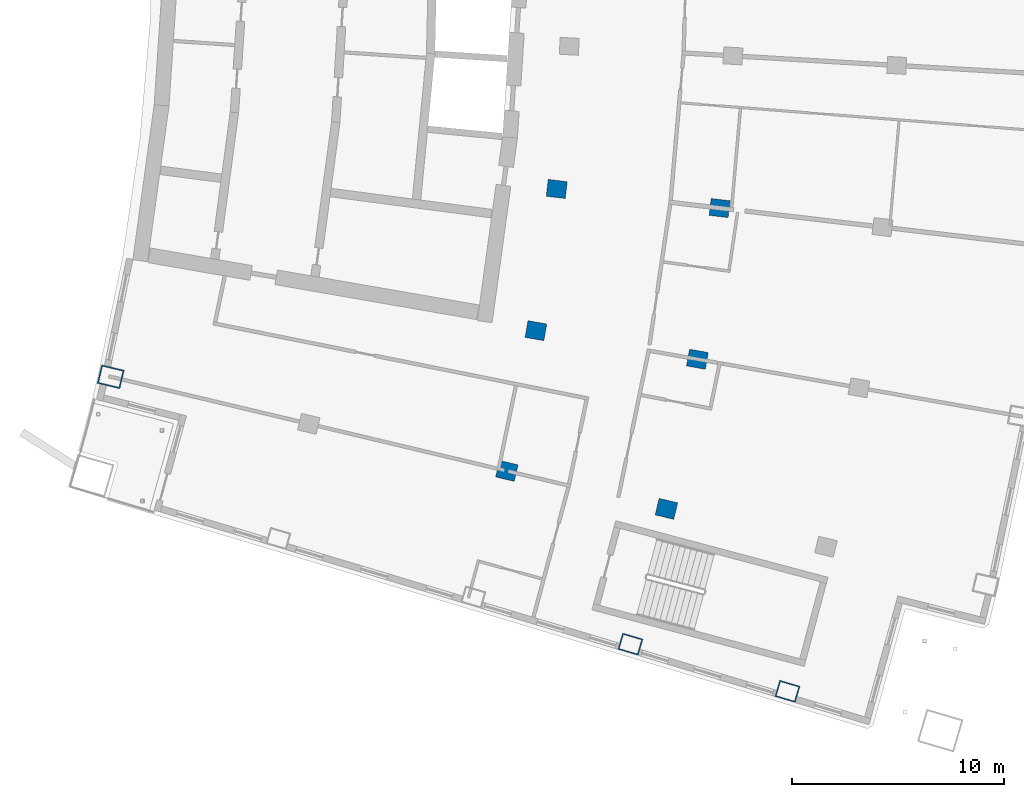
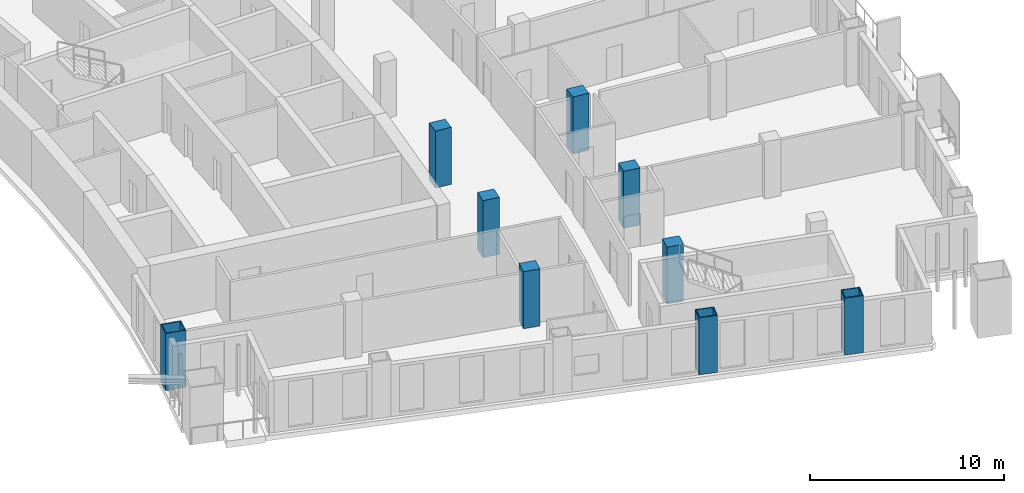
# One storey, part 2 of 19: 9 columns.
"""IFC4 building model written with IfcOpenShell, lengths in metres."""

from ifc_helpers import new_model, si_unit, direction, frame, origin, origin_2d, place, context, subcontext, project, spatial, rectangle, hollow_rectangle, extrude, material, material_profile, profile_set, type_object, element, save


model = new_model("IFC4")

# Units and contexts
model_context = context("Model", 3, precision=1e-05, world=origin(), true_north=direction((0.0, 1.0)))
body_context = subcontext(model_context, "Body", "Model", "MODEL_VIEW")
ifc_project = project(units=[si_unit("LENGTHUNIT", "METRE"), si_unit("AREAUNIT", "SQUARE_METRE"), si_unit("VOLUMEUNIT", "CUBIC_METRE"), si_unit("PLANEANGLEUNIT", "RADIAN"), si_unit("MASSUNIT", "GRAM", prefix="KILO")], contexts=[model_context])

# Site, building, storey
site_placement = place(None, origin())
site = spatial("IfcSite", under=ifc_project, at=site_placement, CompositionType="ELEMENT")
building_placement = place(site_placement, origin())
building = spatial("IfcBuilding", under=site, at=building_placement, Name="Alderwake Tower", CompositionType="ELEMENT")
storey_placement = place(building_placement, frame((0.0, 0.0, 174.800048828125)))
storey = spatial("IfcBuildingStorey", under=building, at=storey_placement, Name="L43", CompositionType="ELEMENT", Elevation=174.800048828125)

# Columns
ifc_material_1 = material(Name="Steel ASTM A572 Grade 50 concrete filled C70/85", Category="concrete")
ifc_material_profile_1 = material_profile(ifc_material_1, hollow_rectangle(XDim=0.800048828125, YDim=1.0, WallThickness=0.054931640625, at=origin_2d()), Name="BOX 1000X800X55")
ifc_profile_set_1 = profile_set([ifc_material_profile_1], Name="Steel ASTM A572 Grade 50 concrete filled C70/85")
column_type_1 = type_object("IfcColumnType", Name="End column Z3", PredefinedType="COLUMN", material=ifc_profile_set_1)
for number, where, z_axis, x_axis, name in (
    (1, (38.487060546875, 26.05322265625, 0.0), (0.0, 0.0, 1.0), (0.282893935167, 0.959151198428, 0.0), "Column R02-C3"),
    (2, (45.89404296875, 23.82958984375, 0.0), (0.0, 0.0, 1.0), (0.283168465256, 0.959070185276, 0.0), "Column R02-C4"),
):
    element("IfcColumn", number, at=place(storey_placement, frame(where, z_axis=z_axis, x_axis=x_axis)), inside=storey, type_object=column_type_1, Name=name, PredefinedType="COLUMN", context=body_context, shape_type="SweptSolid", body=[
        extrude(hollow_rectangle(XDim=0.800048828125, YDim=1.0, WallThickness=0.054931640625, at=origin_2d()), origin(), (0.0, 0.0, 1.0), 3.599853515625),
    ])
ifc_material_2 = material(Name="Concrete C70/85", Category="concrete")
ifc_material_profile_2 = material_profile(ifc_material_2, rectangle(XDim=0.800048828125, YDim=0.89990234375, at=origin_2d()), Name="RC 900X800")
ifc_profile_set_2 = profile_set([ifc_material_profile_2], Name="Concrete C70/85")
column_type_2 = type_object("IfcColumnType", Name="Interior column Z3", PredefinedType="COLUMN", material=ifc_profile_set_2)
for number, where, z_axis, x_axis, name in (
    (3, (32.661865234375, 34.224609375, 0.0), (0.0, 0.0, 1.0), (0.231221547198, 0.972901123502, 0.0), "Column R03-C2"),
    (4, (40.185791015625, 32.436279296875, 0.0), (0.0, 0.0, 1.0), (0.231221547198, 0.972901123502, 0.0), "Column R03-C3"),
    (5, (34.03125, 40.83837890625, 0.0), (0.0, 0.0, 1.0), (0.174108800747, 0.984726421654, 0.0), "Column R04-C2"),
    (6, (41.646484375, 39.49169921875, 0.0), (0.0, 0.0, 1.0), (0.174108800747, 0.984726421654, 0.0), "Column R04-C3"),
    (7, (35.0126953125, 47.5205078125, 0.0), (0.0, 0.0, 1.0), (0.116402054316, 0.993202175668, 0.0), "Column R05-C2"),
    (8, (42.693603515625, 46.62060546875, 0.0), (0.0, 0.0, 1.0), (0.116402054316, 0.993202175668, 0.0), "Column R05-C3"),
):
    element("IfcColumn", number, at=place(storey_placement, frame(where, z_axis=z_axis, x_axis=x_axis)), inside=storey, type_object=column_type_2, Name=name, PredefinedType="COLUMN", context=body_context, shape_type="SweptSolid", body=[
        extrude(rectangle(XDim=0.800048828125, YDim=0.89990234375, at=origin_2d()), origin(), (0.0, 0.0, 1.0), 3.599853515625),
    ])
ifc_material_3 = material(Name="Steel ASTM A572 Grade 50 concrete filled C70/85", Category="concrete")
ifc_material_profile_3 = material_profile(ifc_material_3, hollow_rectangle(XDim=0.89990234375, YDim=1.10009765625, WallThickness=0.06005859375, at=origin_2d()), Name="BOX 1100X900X60")
ifc_profile_set_3 = profile_set([ifc_material_profile_3], Name="Steel ASTM A572 Grade 50 concrete filled C70/85")
column_type_3 = type_object("IfcColumnType", Name="Perimeter column Z3", PredefinedType="COLUMN", material=ifc_profile_set_3)
column_placement = place(storey_placement, frame((13.982177734375, 38.6640625, 0.0), z_axis=(0.0, 0.0, 1.0), x_axis=(0.231221547198, 0.972901123502, 0.0)))
element("IfcColumn", 9, at=column_placement, inside=storey, type_object=column_type_3, Name="Column R03-C0", PredefinedType="COLUMN", context=body_context, shape_type="SweptSolid", body=[
    extrude(hollow_rectangle(XDim=0.89990234375, YDim=1.10009765625, WallThickness=0.06005859375, at=origin_2d()), origin(), (0.0, 0.0, 1.0), 3.599853515625),
])

save(model, "model.ifc")
